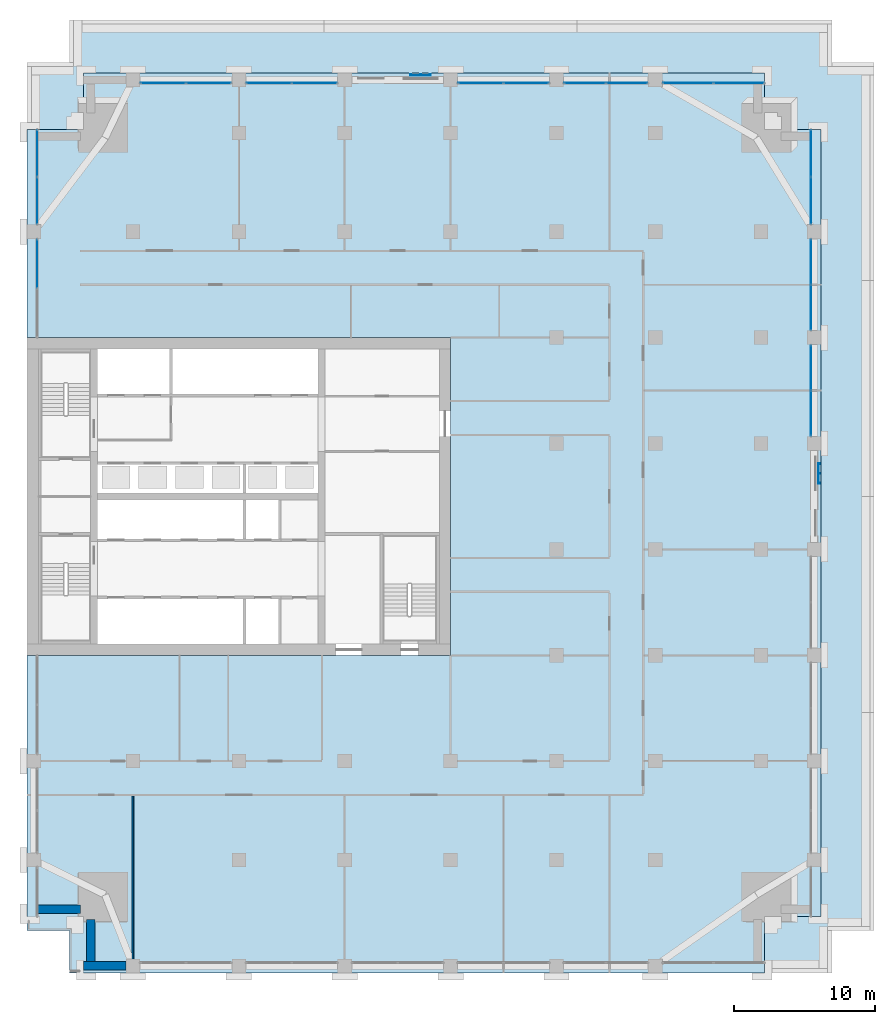
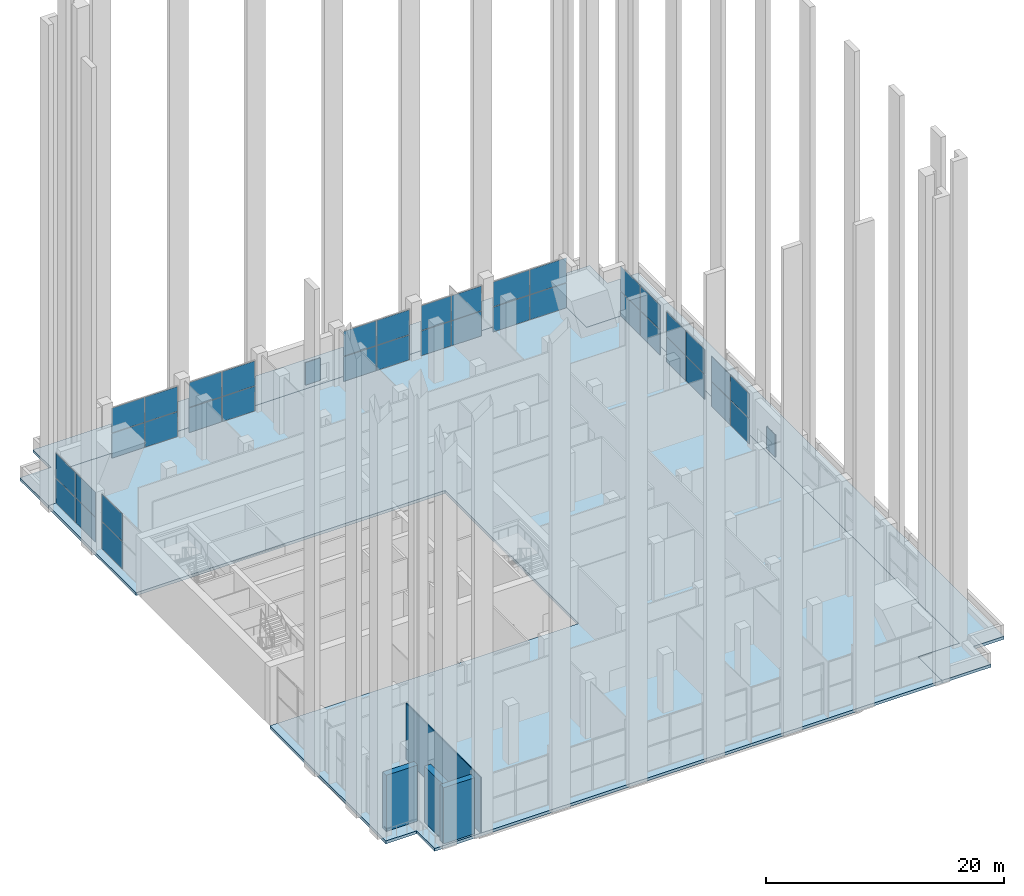
# One storey, part 11 of 23: 40 plates, 4 walls, 2 slabs, 10 elements without a shape of their own.
"""IFC4 building model written with IfcOpenShell, lengths in metres."""

import ifcopenshell
import ifcopenshell.guid

model = None  # the IFC model being written
_history = None  # IfcOwnerHistory: only IFC2X3 demands one
_inside = {}  # id of a spatial element -> (the spatial element, [elements in it])
_under = {}  # id of a project, library or spatial element -> (it, [spatial elements below it])
_declared = {}  # id of a project -> (the project, [libraries it declares])
_typed = {}  # id of a type object -> (the type object, [elements of that type])
_made_of = {}  # id of a material, layer set ... -> (it, [elements and type objects made of it])


def new_model(schema):
    """Start an empty IFC model of exactly this schema.

    Asked for "IFC4X3", IfcOpenShell would pick the latest addendum, in which some entities
    have other attributes; the version numbers below select the first issue.
    IFC2X3 requires an IfcOwnerHistory on every rooted entity: one is made here for all.
    """
    global model, _history
    if schema == "IFC4X3":
        model = ifcopenshell.file(schema_version=(4, 3, 0, 0))
    else:
        model = ifcopenshell.file(schema=schema)
    _inside.clear()
    _under.clear()
    _declared.clear()
    _typed.clear()
    _made_of.clear()
    _history = None
    if model.schema == "IFC2X3":
        org = make("IfcOrganization", Name="unknown")
        user = make(
            "IfcPersonAndOrganization",
            ThePerson=make("IfcPerson", FamilyName="unknown"),
            TheOrganization=org,
        )
        app = make(
            "IfcApplication",
            ApplicationDeveloper=org,
            Version="unknown",
            ApplicationFullName="unknown",
            ApplicationIdentifier="unknown",
        )
        _history = make(
            "IfcOwnerHistory",
            OwningUser=user,
            OwningApplication=app,
            ChangeAction="ADDED",
            CreationDate=0,
        )
    return model


def make(cls, **values):
    """One entity of the class cls with the attributes given. An attribute that is None is left unset."""
    return model.create_entity(
        cls, **{name: value for name, value in values.items() if value is not None}
    )


def rooted(cls, **values):
    """An entity with a GlobalId (a new one), such as an element, a storey or a relation."""
    return make(cls, GlobalId=ifcopenshell.guid.new(), OwnerHistory=_history, **values)


def si_unit(unit_type, name, prefix=None):
    """IfcSIUnit, for example si_unit("LENGTHUNIT", "METRE", prefix="MILLI")."""
    return make("IfcSIUnit", UnitType=unit_type, Prefix=prefix, Name=name)


def assignment(units):
    """IfcUnitAssignment: the units of a project."""
    return None if units is None else make("IfcUnitAssignment", Units=units)


def point(xyz):
    """IfcCartesianPoint."""
    return None if xyz is None else make("IfcCartesianPoint", Coordinates=xyz)


def direction(xyz):
    """IfcDirection."""
    return None if xyz is None else make("IfcDirection", DirectionRatios=xyz)


def frame(location, z_axis=None, x_axis=None):
    """IfcAxis2Placement3D, a coordinate frame: its origin and axes. An axis left out is left unset."""
    return make(
        "IfcAxis2Placement3D",
        Location=point(location),
        Axis=direction(z_axis),
        RefDirection=direction(x_axis),
    )


def frame_2d(location, x_axis=None):
    """IfcAxis2Placement2D, a coordinate frame in the plane: its origin and x axis."""
    return make(
        "IfcAxis2Placement2D", Location=point(location), RefDirection=direction(x_axis)
    )


def origin():
    """The frame at (0, 0, 0) with its axes left unset."""
    return frame((0.0, 0.0, 0.0))


def origin_2d():
    """The frame at (0, 0) in the plane with its x axis left unset."""
    return frame_2d((0.0, 0.0))


def place(relative_to, where):
    """IfcLocalPlacement: puts the frame where relative to a parent placement (None: the world)."""
    return make(
        "IfcLocalPlacement", PlacementRelTo=relative_to, RelativePlacement=where
    )


def context(
    kind, dimensions, precision=None, world=None, true_north=None, identifier=None
):
    """IfcGeometricRepresentationContext, for example the 3D "Model" context."""
    return make(
        "IfcGeometricRepresentationContext",
        ContextIdentifier=identifier,
        ContextType=kind,
        CoordinateSpaceDimension=dimensions,
        Precision=precision,
        WorldCoordinateSystem=world,
        TrueNorth=true_north,
    )


def subcontext(parent, identifier, kind, view, scale=None):
    """IfcGeometricRepresentationSubContext, for example "Body" below "Model"."""
    return make(
        "IfcGeometricRepresentationSubContext",
        ContextIdentifier=identifier,
        ContextType=kind,
        ParentContext=parent,
        TargetScale=scale,
        TargetView=view,
    )


def project(units=None, contexts=None):
    """IfcProject with its units and contexts."""
    return rooted(
        "IfcProject",
        Name="project",
        RepresentationContexts=contexts,
        UnitsInContext=assignment(units),
    )


def spatial(cls, under=None, at=None, **own):
    """A site, building, storey or space (cls), placed at a placement, below another one or the project."""
    s = rooted(cls, ObjectPlacement=at, **own)
    if under is not None:
        _under.setdefault(under.id(), (under, []))[1].append(s)
    return s


def polyline(points):
    """IfcPolyline through the points."""
    return make("IfcPolyline", Points=[point(p) for p in points])


def profile(cls, at=None, kind="AREA", **sizes):
    """A parametric profile (cls). Its sizes go by their IFC names, for example OverallWidth=200.0."""
    return make(cls, ProfileType=kind, Position=at, **sizes)


def rectangle(**sizes):
    """IfcRectangleProfileDef."""
    return profile("IfcRectangleProfileDef", **sizes)


def outline(outer, holes=None, kind="AREA"):
    """IfcArbitraryClosedProfileDef: a profile drawn as a closed curve; with holes, ...WithVoids."""
    if holes is None:
        return make("IfcArbitraryClosedProfileDef", ProfileType=kind, OuterCurve=outer)
    return make(
        "IfcArbitraryProfileDefWithVoids",
        ProfileType=kind,
        OuterCurve=outer,
        InnerCurves=holes,
    )


def extrude(swept, where, along, depth):
    """IfcExtrudedAreaSolid: the profile swept, set in the frame where, extruded along a direction by depth."""
    return make(
        "IfcExtrudedAreaSolid",
        SweptArea=swept,
        Position=where,
        ExtrudedDirection=direction(along),
        Depth=depth,
    )


def shape(context_of_items, identifier, shape_type, items):
    """IfcShapeRepresentation: the items that make up one representation, for example the "Body"."""
    return make(
        "IfcShapeRepresentation",
        ContextOfItems=context_of_items,
        RepresentationIdentifier=identifier,
        RepresentationType=shape_type,
        Items=items,
    )


def material(Name=None, Category=None):
    """IfcMaterial."""
    return make("IfcMaterial", Name=Name, Category=Category)


def layer(
    of_material, thickness, ventilated=None, Name=None, Category=None, Priority=None
):
    """IfcMaterialLayer: one layer of a wall or slab, of a material (None: an air gap)."""
    return make(
        "IfcMaterialLayer",
        Material=of_material,
        LayerThickness=thickness,
        IsVentilated=ventilated,
        Name=Name,
        Category=Category,
        Priority=Priority,
    )


def layer_set(layers, Name=None):
    """IfcMaterialLayerSet."""
    return make("IfcMaterialLayerSet", MaterialLayers=layers, LayerSetName=Name)


def made_of(thing, what):
    """Note that an element or type object is made of a material, layer set ...; save() writes the relation."""
    if what is not None:
        _made_of.setdefault(what.id(), (what, []))[1].append(thing)
    return thing


def type_object(cls, material=None, **own):
    """A type object (cls), such as IfcWallType, which elements share."""
    return made_of(rooted(cls, **own), material)


def element(
    cls,
    number,
    at=None,
    inside=None,
    cuts=None,
    type_object=None,
    material=None,
    context=None,
    identifier="Body",
    shape_type=None,
    held_by="IfcProductDefinitionShape",
    body=None,
    shapes=None,
    **own,
):
    """One element of the class cls, such as IfcWall. Its Tag is "e" and its number.

    at: its placement. inside: the storey or other place that contains it. cuts: it is an
    opening in that element (IfcRelVoidsElement). A single representation is given by context,
    identifier, shape_type and body (its items); several are given by shapes. held_by: the class
    of the entity that holds the representations. save() writes the other relations.
    """
    e = rooted(cls, Tag="e%d" % number, ObjectPlacement=at, **own)
    if body is not None:
        shapes = [shape(context, identifier, shape_type, body)]
    if shapes is not None:
        e.Representation = make(held_by, Representations=shapes)
    if inside is not None:
        _inside.setdefault(inside.id(), (inside, []))[1].append(e)
    if cuts is not None:
        rooted(
            "IfcRelVoidsElement", RelatingBuildingElement=cuts, RelatedOpeningElement=e
        )
    if type_object is not None:
        _typed.setdefault(type_object.id(), (type_object, []))[1].append(e)
    return made_of(e, material)


def aggregate(whole, parts):
    """IfcRelAggregates: a whole, such as a stair, and the parts it consists of."""
    return rooted("IfcRelAggregates", RelatingObject=whole, RelatedObjects=parts)


def save(model, path):
    """Write the relations noted so far, then the file.

    IfcRelAggregates (storeys below a building ...), IfcRelContainedInSpatialStructure (elements
    in a storey), IfcRelDefinesByType, IfcRelAssociatesMaterial and IfcRelDeclares: one each for
    every whole, place, type object, material and project.
    """
    for whole, parts in _under.values():
        aggregate(whole, parts)
    for where, things in _inside.values():
        rooted(
            "IfcRelContainedInSpatialStructure",
            RelatedElements=things,
            RelatingStructure=where,
        )
    for kind, things in _typed.values():
        rooted("IfcRelDefinesByType", RelatedObjects=things, RelatingType=kind)
    for what, things in _made_of.values():
        rooted("IfcRelAssociatesMaterial", RelatedObjects=things, RelatingMaterial=what)
    for by, libraries in _declared.values():
        rooted("IfcRelDeclares", RelatingContext=by, RelatedDefinitions=libraries)
    model.write(path)


model = new_model("IFC4")

# Units and contexts
model_context = context("Model", 3, precision=1e-05, world=origin(), true_north=direction((0.0, 1.0)))
body_context = subcontext(model_context, "Body", "Model", "MODEL_VIEW")
ifc_project = project(units=[si_unit("LENGTHUNIT", "METRE"), si_unit("AREAUNIT", "SQUARE_METRE"), si_unit("VOLUMEUNIT", "CUBIC_METRE"), si_unit("PLANEANGLEUNIT", "RADIAN"), si_unit("MASSUNIT", "GRAM", prefix="KILO")], contexts=[model_context])

# Site, building, storey
site_placement = place(None, origin())
site = spatial("IfcSite", under=ifc_project, at=site_placement, CompositionType="ELEMENT")
building_placement = place(site_placement, origin())
building = spatial("IfcBuilding", under=site, at=building_placement, Name="Tamorin Gate", CompositionType="ELEMENT")
storey_placement = place(building_placement, frame((0.0, 0.0, 124.199951171875)))
storey = spatial("IfcBuildingStorey", under=building, at=storey_placement, Name="L30", CompositionType="ELEMENT", Elevation=124.199951171875)

# Curtain wall, plates
ifc_material_1 = material(Name="Aluminium mullions and transoms with clear glass", Category="aluminium")
ifc_layer_1 = layer(ifc_material_1, 0.159912109375)
ifc_layer_set_1 = layer_set([ifc_layer_1], Name="Curtain wall system CW1")
curtain_wall_type = type_object("IfcCurtainWallType", Name="Curtain wall system CW1", PredefinedType="NOTDEFINED", material=ifc_layer_set_1)
curtain_wall_1_placement = place(storey_placement, origin())
curtain_wall_1 = element("IfcCurtainWall", 1, at=curtain_wall_1_placement, inside=storey, type_object=curtain_wall_type, Name="Curtain wall", PredefinedType="NOTDEFINED")
ifc_material_2 = material(Name="Clear glass", Category="glass")
ifc_layer_2 = layer(ifc_material_2, 0.028076171875)
ifc_layer_set_2 = layer_set([ifc_layer_2], Name="Clear glass panel IGU 28")
plate_type_1 = type_object("IfcPlateType", Name="Clear glass panel IGU 28", PredefinedType="CURTAIN_PANEL", material=ifc_layer_set_2)
plate_1_placement = place(storey_placement, frame((85.530029296875, 77.139892578125, 0.06005859375), z_axis=(0.0, 0.0, 1.0), x_axis=(0.0, 1.0, 0.0)))
plate_1 = element("IfcPlate", 2, at=plate_1_placement, type_object=plate_type_1, Name="CW1 panel 1.1", PredefinedType="CURTAIN_PANEL", context=body_context, shape_type="SweptSolid", body=[
    extrude(rectangle(XDim=3.159912109375, YDim=0.028076171875, at=origin_2d()), origin(), (0.0, 0.0, 1.0), 2.534912109375),
])
plate_2_placement = place(storey_placement, frame((85.530029296875, 77.139892578125, 2.6552734375), z_axis=(0.0, 0.0, 1.0), x_axis=(0.0, 1.0, 0.0)))
plate_2 = element("IfcPlate", 3, at=plate_2_placement, type_object=plate_type_1, Name="CW1 panel 1.2", PredefinedType="CURTAIN_PANEL", context=body_context, shape_type="SweptSolid", body=[
    extrude(rectangle(XDim=3.159912109375, YDim=0.028076171875, at=origin_2d()), origin(), (0.0, 0.0, 1.0), 2.534912109375),
])
plate_3_placement = place(storey_placement, frame((85.530029296875, 80.360107421875, 0.06005859375), z_axis=(0.0, 0.0, 1.0), x_axis=(0.0, 1.0, 0.0)))
plate_3 = element("IfcPlate", 4, at=plate_3_placement, type_object=plate_type_1, Name="CW1 panel 2.1", PredefinedType="CURTAIN_PANEL", context=body_context, shape_type="SweptSolid", body=[
    extrude(rectangle(XDim=3.159912109375, YDim=0.028076171875, at=origin_2d()), origin(), (0.0, 0.0, 1.0), 2.534912109375),
])
plate_4_placement = place(storey_placement, frame((85.530029296875, 80.360107421875, 2.6552734375), z_axis=(0.0, 0.0, 1.0), x_axis=(0.0, 1.0, 0.0)))
plate_4 = element("IfcPlate", 5, at=plate_4_placement, type_object=plate_type_1, Name="CW1 panel 2.2", PredefinedType="CURTAIN_PANEL", context=body_context, shape_type="SweptSolid", body=[
    extrude(rectangle(XDim=3.159912109375, YDim=0.028076171875, at=origin_2d()), origin(), (0.0, 0.0, 1.0), 2.534912109375),
])
aggregate(curtain_wall_1, [plate_1, plate_2, plate_3, plate_4])

curtain_wall_2_placement = place(storey_placement, origin())
curtain_wall_2 = element("IfcCurtainWall", 6, at=curtain_wall_2_placement, inside=storey, type_object=curtain_wall_type, Name="Curtain wall", PredefinedType="NOTDEFINED")
plate_5_placement = place(storey_placement, frame((85.530029296875, 84.639892578125, 0.06005859375), z_axis=(0.0, 0.0, 1.0), x_axis=(0.0, 1.0, 0.0)))
plate_5 = element("IfcPlate", 7, at=plate_5_placement, type_object=plate_type_1, Name="CW1 panel 1.1", PredefinedType="CURTAIN_PANEL", context=body_context, shape_type="SweptSolid", body=[
    extrude(rectangle(XDim=3.159912109375, YDim=0.028076171875, at=origin_2d()), origin(), (0.0, 0.0, 1.0), 2.534912109375),
])
plate_6_placement = place(storey_placement, frame((85.530029296875, 84.639892578125, 2.6552734375), z_axis=(0.0, 0.0, 1.0), x_axis=(0.0, 1.0, 0.0)))
plate_6 = element("IfcPlate", 8, at=plate_6_placement, type_object=plate_type_1, Name="CW1 panel 1.2", PredefinedType="CURTAIN_PANEL", context=body_context, shape_type="SweptSolid", body=[
    extrude(rectangle(XDim=3.159912109375, YDim=0.028076171875, at=origin_2d()), origin(), (0.0, 0.0, 1.0), 2.534912109375),
])
plate_7_placement = place(storey_placement, frame((85.530029296875, 87.860107421875, 0.06005859375), z_axis=(0.0, 0.0, 1.0), x_axis=(0.0, 1.0, 0.0)))
plate_7 = element("IfcPlate", 9, at=plate_7_placement, type_object=plate_type_1, Name="CW1 panel 2.1", PredefinedType="CURTAIN_PANEL", context=body_context, shape_type="SweptSolid", body=[
    extrude(rectangle(XDim=3.159912109375, YDim=0.028076171875, at=origin_2d()), origin(), (0.0, 0.0, 1.0), 2.534912109375),
])
plate_8_placement = place(storey_placement, frame((85.530029296875, 87.860107421875, 2.6552734375), z_axis=(0.0, 0.0, 1.0), x_axis=(0.0, 1.0, 0.0)))
plate_8 = element("IfcPlate", 10, at=plate_8_placement, type_object=plate_type_1, Name="CW1 panel 2.2", PredefinedType="CURTAIN_PANEL", context=body_context, shape_type="SweptSolid", body=[
    extrude(rectangle(XDim=3.159912109375, YDim=0.028076171875, at=origin_2d()), origin(), (0.0, 0.0, 1.0), 2.534912109375),
])
aggregate(curtain_wall_2, [plate_5, plate_6, plate_7, plate_8])

curtain_wall_3_placement = place(storey_placement, origin())
curtain_wall_3 = element("IfcCurtainWall", 11, at=curtain_wall_3_placement, inside=storey, type_object=curtain_wall_type, Name="Curtain wall", PredefinedType="NOTDEFINED")
plate_9_placement = place(storey_placement, frame((85.530029296875, 92.202392578125, 0.06005859375), z_axis=(0.0, 0.0, 1.0), x_axis=(0.0, 1.0, 0.0)))
plate_9 = element("IfcPlate", 12, at=plate_9_placement, type_object=plate_type_1, Name="CW1 panel 1.1", PredefinedType="CURTAIN_PANEL", context=body_context, shape_type="SweptSolid", body=[
    extrude(rectangle(XDim=3.284912109375, YDim=0.028076171875, at=origin_2d()), origin(), (0.0, 0.0, 1.0), 2.534912109375),
])
plate_10_placement = place(storey_placement, frame((85.530029296875, 92.202392578125, 2.6552734375), z_axis=(0.0, 0.0, 1.0), x_axis=(0.0, 1.0, 0.0)))
plate_10 = element("IfcPlate", 13, at=plate_10_placement, type_object=plate_type_1, Name="CW1 panel 1.2", PredefinedType="CURTAIN_PANEL", context=body_context, shape_type="SweptSolid", body=[
    extrude(rectangle(XDim=3.284912109375, YDim=0.028076171875, at=origin_2d()), origin(), (0.0, 0.0, 1.0), 2.534912109375),
])
plate_11_placement = place(storey_placement, frame((85.530029296875, 95.547607421875, 0.06005859375), z_axis=(0.0, 0.0, 1.0), x_axis=(0.0, 1.0, 0.0)))
plate_11 = element("IfcPlate", 14, at=plate_11_placement, type_object=plate_type_1, Name="CW1 panel 2.1", PredefinedType="CURTAIN_PANEL", context=body_context, shape_type="SweptSolid", body=[
    extrude(rectangle(XDim=3.284912109375, YDim=0.028076171875, at=origin_2d()), origin(), (0.0, 0.0, 1.0), 2.534912109375),
])
plate_12_placement = place(storey_placement, frame((85.530029296875, 95.547607421875, 2.6552734375), z_axis=(0.0, 0.0, 1.0), x_axis=(0.0, 1.0, 0.0)))
plate_12 = element("IfcPlate", 15, at=plate_12_placement, type_object=plate_type_1, Name="CW1 panel 2.2", PredefinedType="CURTAIN_PANEL", context=body_context, shape_type="SweptSolid", body=[
    extrude(rectangle(XDim=3.284912109375, YDim=0.028076171875, at=origin_2d()), origin(), (0.0, 0.0, 1.0), 2.534912109375),
])
aggregate(curtain_wall_3, [plate_9, plate_10, plate_11, plate_12])

curtain_wall_4_placement = place(storey_placement, origin())
curtain_wall_4 = element("IfcCurtainWall", 16, at=curtain_wall_4_placement, inside=storey, type_object=curtain_wall_type, Name="Curtain wall", PredefinedType="NOTDEFINED")
plate_13_placement = place(storey_placement, frame((80.422607421875, 100.530029296875, 0.06005859375), z_axis=(0.0, 0.0, 1.0), x_axis=(-1.0, 0.0, 0.0)))
plate_13 = element("IfcPlate", 17, at=plate_13_placement, type_object=plate_type_1, Name="CW1 panel 1.1", PredefinedType="CURTAIN_PANEL", context=body_context, shape_type="SweptSolid", body=[
    extrude(rectangle(XDim=3.534912109375, YDim=0.028076171875, at=origin_2d()), origin(), (0.0, 0.0, 1.0), 2.534912109375),
])
plate_14_placement = place(storey_placement, frame((80.422607421875, 100.530029296875, 2.6552734375), z_axis=(0.0, 0.0, 1.0), x_axis=(-1.0, 0.0, 0.0)))
plate_14 = element("IfcPlate", 18, at=plate_14_placement, type_object=plate_type_1, Name="CW1 panel 1.2", PredefinedType="CURTAIN_PANEL", context=body_context, shape_type="SweptSolid", body=[
    extrude(rectangle(XDim=3.534912109375, YDim=0.028076171875, at=origin_2d()), origin(), (0.0, 0.0, 1.0), 2.534912109375),
])
plate_15_placement = place(storey_placement, frame((76.827392578125, 100.530029296875, 0.06005859375), z_axis=(0.0, 0.0, 1.0), x_axis=(-1.0, 0.0, 0.0)))
plate_15 = element("IfcPlate", 19, at=plate_15_placement, type_object=plate_type_1, Name="CW1 panel 2.1", PredefinedType="CURTAIN_PANEL", context=body_context, shape_type="SweptSolid", body=[
    extrude(rectangle(XDim=3.534912109375, YDim=0.028076171875, at=origin_2d()), origin(), (0.0, 0.0, 1.0), 2.534912109375),
])
plate_16_placement = place(storey_placement, frame((76.827392578125, 100.530029296875, 2.6552734375), z_axis=(0.0, 0.0, 1.0), x_axis=(-1.0, 0.0, 0.0)))
plate_16 = element("IfcPlate", 20, at=plate_16_placement, type_object=plate_type_1, Name="CW1 panel 2.2", PredefinedType="CURTAIN_PANEL", context=body_context, shape_type="SweptSolid", body=[
    extrude(rectangle(XDim=3.534912109375, YDim=0.028076171875, at=origin_2d()), origin(), (0.0, 0.0, 1.0), 2.534912109375),
])
aggregate(curtain_wall_4, [plate_13, plate_14, plate_15, plate_16])

curtain_wall_5_placement = place(storey_placement, origin())
curtain_wall_5 = element("IfcCurtainWall", 21, at=curtain_wall_5_placement, inside=storey, type_object=curtain_wall_type, Name="Curtain wall", PredefinedType="NOTDEFINED")
plate_17_placement = place(storey_placement, frame((72.485107421875, 100.530029296875, 0.06005859375), z_axis=(0.0, 0.0, 1.0), x_axis=(-1.0, 0.0, 0.0)))
plate_17 = element("IfcPlate", 22, at=plate_17_placement, type_object=plate_type_1, Name="CW1 panel 1.1", PredefinedType="CURTAIN_PANEL", context=body_context, shape_type="SweptSolid", body=[
    extrude(rectangle(XDim=2.909912109375, YDim=0.028076171875, at=origin_2d()), origin(), (0.0, 0.0, 1.0), 2.534912109375),
])
plate_18_placement = place(storey_placement, frame((72.485107421875, 100.530029296875, 2.6552734375), z_axis=(0.0, 0.0, 1.0), x_axis=(-1.0, 0.0, 0.0)))
plate_18 = element("IfcPlate", 23, at=plate_18_placement, type_object=plate_type_1, Name="CW1 panel 1.2", PredefinedType="CURTAIN_PANEL", context=body_context, shape_type="SweptSolid", body=[
    extrude(rectangle(XDim=2.909912109375, YDim=0.028076171875, at=origin_2d()), origin(), (0.0, 0.0, 1.0), 2.534912109375),
])
plate_19_placement = place(storey_placement, frame((69.514892578125, 100.530029296875, 0.06005859375), z_axis=(0.0, 0.0, 1.0), x_axis=(-1.0, 0.0, 0.0)))
plate_19 = element("IfcPlate", 24, at=plate_19_placement, type_object=plate_type_1, Name="CW1 panel 2.1", PredefinedType="CURTAIN_PANEL", context=body_context, shape_type="SweptSolid", body=[
    extrude(rectangle(XDim=2.909912109375, YDim=0.028076171875, at=origin_2d()), origin(), (0.0, 0.0, 1.0), 2.534912109375),
])
plate_20_placement = place(storey_placement, frame((69.514892578125, 100.530029296875, 2.6552734375), z_axis=(0.0, 0.0, 1.0), x_axis=(-1.0, 0.0, 0.0)))
plate_20 = element("IfcPlate", 25, at=plate_20_placement, type_object=plate_type_1, Name="CW1 panel 2.2", PredefinedType="CURTAIN_PANEL", context=body_context, shape_type="SweptSolid", body=[
    extrude(rectangle(XDim=2.909912109375, YDim=0.028076171875, at=origin_2d()), origin(), (0.0, 0.0, 1.0), 2.534912109375),
])
aggregate(curtain_wall_5, [plate_17, plate_18, plate_19, plate_20])

curtain_wall_6_placement = place(storey_placement, origin())
curtain_wall_6 = element("IfcCurtainWall", 26, at=curtain_wall_6_placement, inside=storey, type_object=curtain_wall_type, Name="Curtain wall", PredefinedType="NOTDEFINED")
plate_21_placement = place(storey_placement, frame((65.360107421875, 100.530029296875, 0.06005859375), z_axis=(0.0, 0.0, 1.0), x_axis=(-1.0, 0.0, 0.0)))
plate_21 = element("IfcPlate", 27, at=plate_21_placement, type_object=plate_type_1, Name="CW1 panel 1.1", PredefinedType="CURTAIN_PANEL", context=body_context, shape_type="SweptSolid", body=[
    extrude(rectangle(XDim=3.159912109375, YDim=0.028076171875, at=origin_2d()), origin(), (0.0, 0.0, 1.0), 2.534912109375),
])
plate_22_placement = place(storey_placement, frame((65.360107421875, 100.530029296875, 2.6552734375), z_axis=(0.0, 0.0, 1.0), x_axis=(-1.0, 0.0, 0.0)))
plate_22 = element("IfcPlate", 28, at=plate_22_placement, type_object=plate_type_1, Name="CW1 panel 1.2", PredefinedType="CURTAIN_PANEL", context=body_context, shape_type="SweptSolid", body=[
    extrude(rectangle(XDim=3.159912109375, YDim=0.028076171875, at=origin_2d()), origin(), (0.0, 0.0, 1.0), 2.534912109375),
])
plate_23_placement = place(storey_placement, frame((62.139892578125, 100.530029296875, 0.06005859375), z_axis=(0.0, 0.0, 1.0), x_axis=(-1.0, 0.0, 0.0)))
plate_23 = element("IfcPlate", 29, at=plate_23_placement, type_object=plate_type_1, Name="CW1 panel 2.1", PredefinedType="CURTAIN_PANEL", context=body_context, shape_type="SweptSolid", body=[
    extrude(rectangle(XDim=3.159912109375, YDim=0.028076171875, at=origin_2d()), origin(), (0.0, 0.0, 1.0), 2.534912109375),
])
plate_24_placement = place(storey_placement, frame((62.139892578125, 100.530029296875, 2.6552734375), z_axis=(0.0, 0.0, 1.0), x_axis=(-1.0, 0.0, 0.0)))
plate_24 = element("IfcPlate", 30, at=plate_24_placement, type_object=plate_type_1, Name="CW1 panel 2.2", PredefinedType="CURTAIN_PANEL", context=body_context, shape_type="SweptSolid", body=[
    extrude(rectangle(XDim=3.159912109375, YDim=0.028076171875, at=origin_2d()), origin(), (0.0, 0.0, 1.0), 2.534912109375),
])
aggregate(curtain_wall_6, [plate_21, plate_22, plate_23, plate_24])

curtain_wall_7_placement = place(storey_placement, origin())
curtain_wall_7 = element("IfcCurtainWall", 31, at=curtain_wall_7_placement, inside=storey, type_object=curtain_wall_type, Name="Curtain wall", PredefinedType="NOTDEFINED")
plate_25_placement = place(storey_placement, frame((50.360107421875, 100.530029296875, 0.06005859375), z_axis=(0.0, 0.0, 1.0), x_axis=(-1.0, 0.0, 0.0)))
plate_25 = element("IfcPlate", 32, at=plate_25_placement, type_object=plate_type_1, Name="CW1 panel 1.1", PredefinedType="CURTAIN_PANEL", context=body_context, shape_type="SweptSolid", body=[
    extrude(rectangle(XDim=3.159912109375, YDim=0.028076171875, at=origin_2d()), origin(), (0.0, 0.0, 1.0), 2.534912109375),
])
plate_26_placement = place(storey_placement, frame((50.360107421875, 100.530029296875, 2.6552734375), z_axis=(0.0, 0.0, 1.0), x_axis=(-1.0, 0.0, 0.0)))
plate_26 = element("IfcPlate", 33, at=plate_26_placement, type_object=plate_type_1, Name="CW1 panel 1.2", PredefinedType="CURTAIN_PANEL", context=body_context, shape_type="SweptSolid", body=[
    extrude(rectangle(XDim=3.159912109375, YDim=0.028076171875, at=origin_2d()), origin(), (0.0, 0.0, 1.0), 2.534912109375),
])
plate_27_placement = place(storey_placement, frame((47.139892578125, 100.530029296875, 0.06005859375), z_axis=(0.0, 0.0, 1.0), x_axis=(-1.0, 0.0, 0.0)))
plate_27 = element("IfcPlate", 34, at=plate_27_placement, type_object=plate_type_1, Name="CW1 panel 2.1", PredefinedType="CURTAIN_PANEL", context=body_context, shape_type="SweptSolid", body=[
    extrude(rectangle(XDim=3.159912109375, YDim=0.028076171875, at=origin_2d()), origin(), (0.0, 0.0, 1.0), 2.534912109375),
])
plate_28_placement = place(storey_placement, frame((47.139892578125, 100.530029296875, 2.6552734375), z_axis=(0.0, 0.0, 1.0), x_axis=(-1.0, 0.0, 0.0)))
plate_28 = element("IfcPlate", 35, at=plate_28_placement, type_object=plate_type_1, Name="CW1 panel 2.2", PredefinedType="CURTAIN_PANEL", context=body_context, shape_type="SweptSolid", body=[
    extrude(rectangle(XDim=3.159912109375, YDim=0.028076171875, at=origin_2d()), origin(), (0.0, 0.0, 1.0), 2.534912109375),
])
aggregate(curtain_wall_7, [plate_25, plate_26, plate_27, plate_28])

curtain_wall_8_placement = place(storey_placement, origin())
curtain_wall_8 = element("IfcCurtainWall", 36, at=curtain_wall_8_placement, inside=storey, type_object=curtain_wall_type, Name="Curtain wall", PredefinedType="NOTDEFINED")
plate_29_placement = place(storey_placement, frame((42.860107421875, 100.530029296875, 0.06005859375), z_axis=(0.0, 0.0, 1.0), x_axis=(-1.0, 0.0, 0.0)))
plate_29 = element("IfcPlate", 37, at=plate_29_placement, type_object=plate_type_1, Name="CW1 panel 1.1", PredefinedType="CURTAIN_PANEL", context=body_context, shape_type="SweptSolid", body=[
    extrude(rectangle(XDim=3.159912109375, YDim=0.028076171875, at=origin_2d()), origin(), (0.0, 0.0, 1.0), 2.534912109375),
])
plate_30_placement = place(storey_placement, frame((42.860107421875, 100.530029296875, 2.6552734375), z_axis=(0.0, 0.0, 1.0), x_axis=(-1.0, 0.0, 0.0)))
plate_30 = element("IfcPlate", 38, at=plate_30_placement, type_object=plate_type_1, Name="CW1 panel 1.2", PredefinedType="CURTAIN_PANEL", context=body_context, shape_type="SweptSolid", body=[
    extrude(rectangle(XDim=3.159912109375, YDim=0.028076171875, at=origin_2d()), origin(), (0.0, 0.0, 1.0), 2.534912109375),
])
plate_31_placement = place(storey_placement, frame((39.639892578125, 100.530029296875, 0.06005859375), z_axis=(0.0, 0.0, 1.0), x_axis=(-1.0, 0.0, 0.0)))
plate_31 = element("IfcPlate", 39, at=plate_31_placement, type_object=plate_type_1, Name="CW1 panel 2.1", PredefinedType="CURTAIN_PANEL", context=body_context, shape_type="SweptSolid", body=[
    extrude(rectangle(XDim=3.159912109375, YDim=0.028076171875, at=origin_2d()), origin(), (0.0, 0.0, 1.0), 2.534912109375),
])
plate_32_placement = place(storey_placement, frame((39.639892578125, 100.530029296875, 2.6552734375), z_axis=(0.0, 0.0, 1.0), x_axis=(-1.0, 0.0, 0.0)))
plate_32 = element("IfcPlate", 40, at=plate_32_placement, type_object=plate_type_1, Name="CW1 panel 2.2", PredefinedType="CURTAIN_PANEL", context=body_context, shape_type="SweptSolid", body=[
    extrude(rectangle(XDim=3.159912109375, YDim=0.028076171875, at=origin_2d()), origin(), (0.0, 0.0, 1.0), 2.534912109375),
])
aggregate(curtain_wall_8, [plate_29, plate_30, plate_31, plate_32])

curtain_wall_9_placement = place(storey_placement, origin())
curtain_wall_9 = element("IfcCurtainWall", 41, at=curtain_wall_9_placement, inside=storey, type_object=curtain_wall_type, Name="Curtain wall", PredefinedType="NOTDEFINED")
plate_33_placement = place(storey_placement, frame((30.719970703125, 95.547607421875, 0.06005859375), z_axis=(0.0, 0.0, 1.0), x_axis=(0.0, -1.0, 0.0)))
plate_33 = element("IfcPlate", 42, at=plate_33_placement, type_object=plate_type_1, Name="CW1 panel 1.1", PredefinedType="CURTAIN_PANEL", context=body_context, shape_type="SweptSolid", body=[
    extrude(rectangle(XDim=3.284912109375, YDim=0.028076171875, at=origin_2d()), origin(), (0.0, 0.0, 1.0), 2.534912109375),
])
plate_34_placement = place(storey_placement, frame((30.719970703125, 95.547607421875, 2.6552734375), z_axis=(0.0, 0.0, 1.0), x_axis=(0.0, -1.0, 0.0)))
plate_34 = element("IfcPlate", 43, at=plate_34_placement, type_object=plate_type_1, Name="CW1 panel 1.2", PredefinedType="CURTAIN_PANEL", context=body_context, shape_type="SweptSolid", body=[
    extrude(rectangle(XDim=3.284912109375, YDim=0.028076171875, at=origin_2d()), origin(), (0.0, 0.0, 1.0), 2.534912109375),
])
plate_35_placement = place(storey_placement, frame((30.719970703125, 92.202392578125, 0.06005859375), z_axis=(0.0, 0.0, 1.0), x_axis=(0.0, -1.0, 0.0)))
plate_35 = element("IfcPlate", 44, at=plate_35_placement, type_object=plate_type_1, Name="CW1 panel 2.1", PredefinedType="CURTAIN_PANEL", context=body_context, shape_type="SweptSolid", body=[
    extrude(rectangle(XDim=3.284912109375, YDim=0.028076171875, at=origin_2d()), origin(), (0.0, 0.0, 1.0), 2.534912109375),
])
plate_36_placement = place(storey_placement, frame((30.719970703125, 92.202392578125, 2.6552734375), z_axis=(0.0, 0.0, 1.0), x_axis=(0.0, -1.0, 0.0)))
plate_36 = element("IfcPlate", 45, at=plate_36_placement, type_object=plate_type_1, Name="CW1 panel 2.2", PredefinedType="CURTAIN_PANEL", context=body_context, shape_type="SweptSolid", body=[
    extrude(rectangle(XDim=3.284912109375, YDim=0.028076171875, at=origin_2d()), origin(), (0.0, 0.0, 1.0), 2.534912109375),
])
aggregate(curtain_wall_9, [plate_33, plate_34, plate_35, plate_36])

curtain_wall_10_placement = place(storey_placement, origin())
curtain_wall_10 = element("IfcCurtainWall", 46, at=curtain_wall_10_placement, inside=storey, type_object=curtain_wall_type, Name="Curtain wall", PredefinedType="NOTDEFINED")
plate_37_placement = place(storey_placement, frame((30.719970703125, 87.735107421875, 0.06005859375), z_axis=(0.0, 0.0, 1.0), x_axis=(0.0, -1.0, 0.0)))
plate_37 = element("IfcPlate", 47, at=plate_37_placement, type_object=plate_type_1, Name="CW1 panel 1.1", PredefinedType="CURTAIN_PANEL", context=body_context, shape_type="SweptSolid", body=[
    extrude(rectangle(XDim=3.409912109375, YDim=0.028076171875, at=origin_2d()), origin(), (0.0, 0.0, 1.0), 2.784912109375),
])
plate_38_placement = place(storey_placement, frame((30.719970703125, 87.735107421875, 2.9052734375), z_axis=(0.0, 0.0, 1.0), x_axis=(0.0, -1.0, 0.0)))
plate_38 = element("IfcPlate", 48, at=plate_38_placement, type_object=plate_type_1, Name="CW1 panel 1.2", PredefinedType="CURTAIN_PANEL", context=body_context, shape_type="SweptSolid", body=[
    extrude(rectangle(XDim=3.409912109375, YDim=0.028076171875, at=origin_2d()), origin(), (0.0, 0.0, 1.0), 2.784912109375),
])
aggregate(curtain_wall_10, [plate_37, plate_38])

# Slab
ifc_material_3 = material(Name="Concrete C40/50", Category="concrete")
ifc_layer_3 = layer(ifc_material_3, 0.300048828125)
ifc_layer_set_3 = layer_set([ifc_layer_3], Name="Floor slab 300 C40/50")
slab_type_1 = type_object("IfcSlabType", Name="Floor slab 300 C40/50", PredefinedType="FLOOR", material=ifc_layer_set_3)
slab_1_placement = place(storey_placement, frame((0.0, 0.0, -0.300048828125)))
element("IfcSlab", 49, at=slab_1_placement, inside=storey, type_object=slab_type_1, Name="Floor L30", PredefinedType="FLOOR", context=body_context, shape_type="SweptSolid", body=[
    extrude(outline(polyline([(30.0, 40.5), (30.0, 60.0), (60.0, 60.0), (60.0, 82.5), (30.0, 82.5), (30.0, 97.25), (34.0, 97.25), (34.0, 101.25), (82.25, 101.25), (82.25, 97.25), (86.25, 97.25), (86.25, 41.5), (82.25, 41.5), (82.25, 37.5), (33.0, 37.5), (33.0, 40.5), (30.0, 40.5)])), origin(), (0.0, 0.0, 1.0), 0.300048828125),
])

# Plates
ifc_material_4 = material(Name="Perforated pale aluminium sheet", Category="aluminium")
ifc_layer_4 = layer(ifc_material_4, 0.0400390625)
ifc_layer_set_4 = layer_set([ifc_layer_4], Name="Pale metal solar screen 1440")
plate_type_2 = type_object("IfcPlateType", Name="Pale metal solar screen 1440", PredefinedType="SHEET", material=ifc_layer_set_4)
plate_39_placement = place(storey_placement, frame((0.0, 0.0, 0.550048828125)))
element("IfcPlate", 50, at=plate_39_placement, inside=storey, type_object=plate_type_2, Name="Perforated solar screen", PredefinedType="SHEET", context=body_context, shape_type="SweptSolid", body=[
    extrude(outline(polyline([(86.090087890625, 72.155029296875), (86.050048828125, 72.155029296875), (86.050048828125, 72.215087890625), (86.050048828125, 72.844970703125), (86.050048828125, 72.905029296875), (86.050048828125, 73.534912109375), (86.050048828125, 73.594970703125), (86.090087890625, 73.594970703125), (86.14990234375, 73.594970703125), (86.14990234375, 73.534912109375), (86.090087890625, 73.534912109375), (86.090087890625, 72.905029296875), (86.14990234375, 72.905029296875), (86.14990234375, 72.844970703125), (86.090087890625, 72.844970703125), (86.090087890625, 72.215087890625), (86.14990234375, 72.215087890625), (86.14990234375, 72.155029296875), (86.090087890625, 72.155029296875)])), origin(), (0.0, 0.0, 1.0), 2.300048828125),
])
plate_40_placement = place(storey_placement, frame((0.0, 0.0, 0.550048828125)))
element("IfcPlate", 51, at=plate_40_placement, inside=storey, type_object=plate_type_2, Name="Perforated solar screen", PredefinedType="SHEET", context=body_context, shape_type="SweptSolid", body=[
    extrude(outline(polyline([(58.594970703125, 101.090087890625), (58.594970703125, 101.050048828125), (58.534912109375, 101.050048828125), (57.905029296875, 101.050048828125), (57.844970703125, 101.050048828125), (57.215087890625, 101.050048828125), (57.155029296875, 101.050048828125), (57.155029296875, 101.090087890625), (57.155029296875, 101.14990234375), (57.215087890625, 101.14990234375), (57.215087890625, 101.090087890625), (57.844970703125, 101.090087890625), (57.844970703125, 101.14990234375), (57.905029296875, 101.14990234375), (57.905029296875, 101.090087890625), (58.534912109375, 101.090087890625), (58.534912109375, 101.14990234375), (58.594970703125, 101.14990234375), (58.594970703125, 101.090087890625)])), origin(), (0.0, 0.0, 1.0), 2.300048828125),
])

# Slab
ifc_layer_5 = layer(ifc_material_3, 0.300048828125)
ifc_layer_set_5 = layer_set([ifc_layer_5], Name="Terrace slab 300 C40/50")
slab_type_2 = type_object("IfcSlabType", Name="Terrace slab 300 C40/50", PredefinedType="ROOF", material=ifc_layer_set_5)
slab_2_placement = place(storey_placement, frame((0.0, 0.0, -0.300048828125)))
element("IfcSlab", 52, at=slab_2_placement, inside=storey, type_object=slab_type_2, Name="Terrace L30", PredefinedType="ROOF", context=body_context, shape_type="SweptSolid", body=[
    extrude(outline(polyline([(30.0, 102.0), (33.0, 102.0), (33.0, 105.0), (87.0, 105.0), (87.0, 102.0), (90.0, 102.0), (90.0, 40.5), (87.0, 40.5), (87.0, 37.5), (82.25, 37.5), (82.25, 41.5), (86.25, 41.5), (86.25, 97.25), (82.25, 97.25), (82.25, 101.25), (34.0, 101.25), (34.0, 97.25), (30.0, 97.25), (30.0, 102.0)])), origin(), (0.0, 0.0, 1.0), 0.300048828125),
])

# Walls
ifc_material_5 = material(Name="Precast concrete C40/50", Category="concrete")
ifc_layer_6 = layer(ifc_material_5, 0.60009765625)
ifc_layer_set_6 = layer_set([ifc_layer_6], Name="Precast concrete C40/50")
wall_type_1 = type_object("IfcWallType", Name="Board-marked concrete facade panel 600", PredefinedType="SOLIDWALL", material=ifc_layer_set_6)
wall_1_placement = place(storey_placement, frame((34.0, 38.0, 0.0), z_axis=(0.0, 0.0, 1.0), x_axis=(1.0, 0.0, 0.0)))
element("IfcWall", 53, at=wall_1_placement, inside=storey, type_object=wall_type_1, Name="Facade panel", PredefinedType="SOLIDWALL", context=body_context, shape_type="SweptSolid", body=[
    extrude(rectangle(XDim=3.0, YDim=0.60009765625, at=frame_2d((1.5, 0.0))), origin(), (0.0, 0.0, 1.0), 5.75),
])
wall_2_placement = place(storey_placement, frame((30.73388671875, 42.0, 0.0), z_axis=(0.0, 0.0, 1.0), x_axis=(1.0, 0.0, 0.0)))
element("IfcWall", 54, at=wall_2_placement, inside=storey, type_object=wall_type_1, Name="Facade panel", PredefinedType="SOLIDWALL", context=body_context, shape_type="SweptSolid", body=[
    extrude(rectangle(XDim=3.04736328125, YDim=0.60009765625, at=frame_2d((1.523681640625, 0.0))), origin(), (0.0, 0.0, 1.0), 5.75),
])
wall_3_placement = place(storey_placement, frame((34.5, 41.28125, 0.0), z_axis=(0.0, 0.0, 1.0), x_axis=(0.0, -1.0, 0.0)))
element("IfcWall", 55, at=wall_3_placement, inside=storey, type_object=wall_type_1, Name="Facade panel", PredefinedType="SOLIDWALL", context=body_context, shape_type="SweptSolid", body=[
    extrude(rectangle(XDim=2.981201171875, YDim=0.60009765625, at=frame_2d((1.49072265625, 0.0))), origin(), (0.0, 0.0, 1.0), 5.75),
])
ifc_material_6 = material(Name="Gypsum board partition")
ifc_layer_7 = layer(ifc_material_6, 0.10009765625)
ifc_layer_set_7 = layer_set([ifc_layer_7], Name="Room partition 100")
wall_type_2 = type_object("IfcWallType", Name="Room partition 100", PredefinedType="PARTITIONING", material=ifc_layer_set_7)
wall_4_placement = place(storey_placement, frame((37.5, 37.5, 0.0), z_axis=(0.0, 0.0, 1.0), x_axis=(0.0, 1.0, 0.0)))
element("IfcWall", 56, at=wall_4_placement, inside=storey, type_object=wall_type_2, Name="Room partition 100", PredefinedType="PARTITIONING", context=body_context, shape_type="SweptSolid", body=[
    extrude(rectangle(XDim=12.52490234375, YDim=0.10009765625, at=frame_2d((6.262451171875, 0.0))), origin(), (0.0, 0.0, 1.0), 5.75),
])

save(model, "model.ifc")
